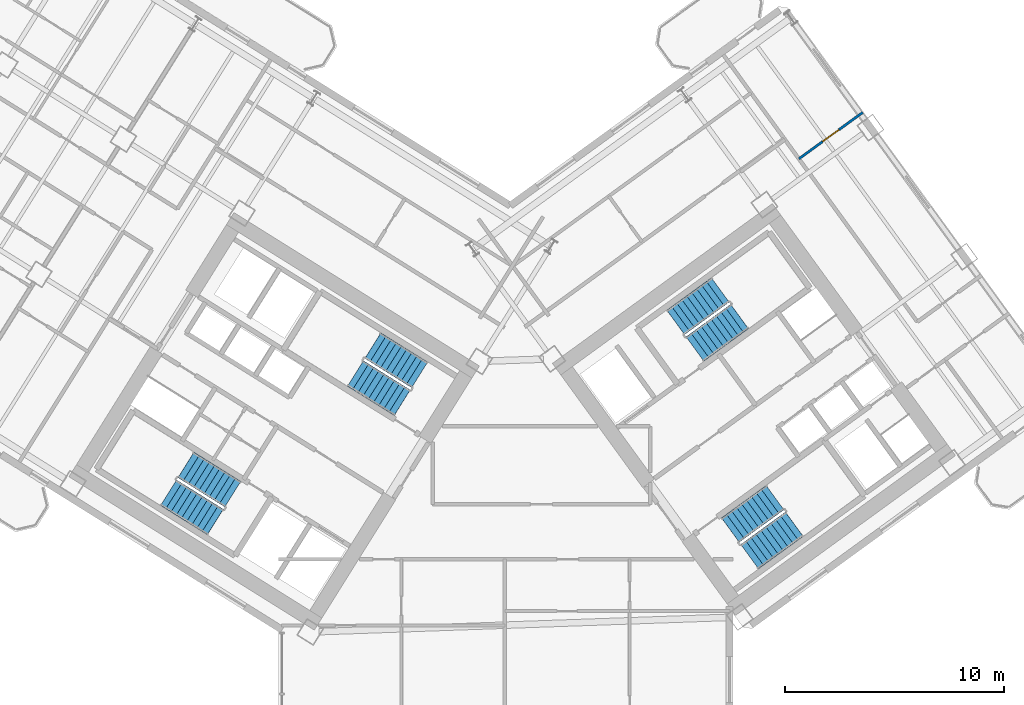
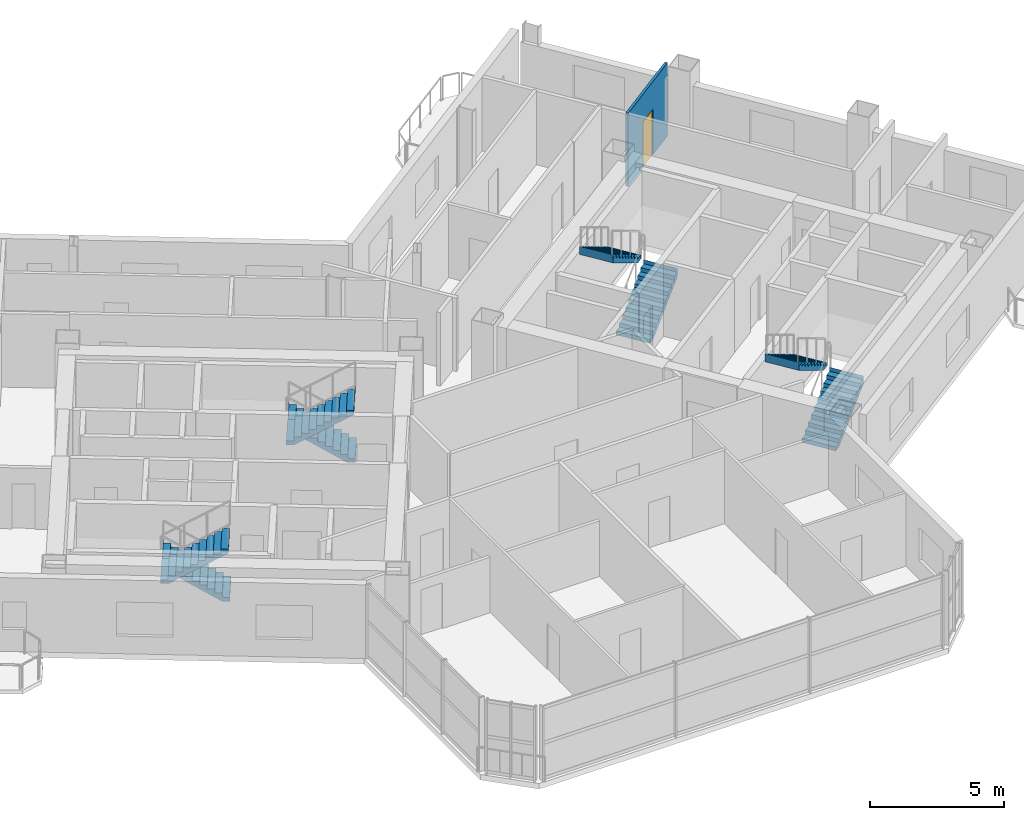
# One storey, part 17 of 21: 8 stair flights, 1 door, 1 wall, 1 opening, 4 elements without a shape of their own.
"""IFC4 building model written with IfcOpenShell, lengths in metres."""

from ifc_helpers import new_model, si_unit, direction, frame, frame_2d, origin, place, context, subcontext, project, spatial, polyline, rectangle, outline, extrude, source, transform, mapped, material, layer, layer_set, type_object, element, fill, aggregate, save


model = new_model("IFC4")

# Units and contexts
model_context = context("Model", 3, precision=1e-05, world=origin(), true_north=direction((0.0, 1.0)))
body_context = subcontext(model_context, "Body", "Model", "MODEL_VIEW")
ifc_project = project(units=[si_unit("LENGTHUNIT", "METRE"), si_unit("AREAUNIT", "SQUARE_METRE"), si_unit("VOLUMEUNIT", "CUBIC_METRE"), si_unit("PLANEANGLEUNIT", "RADIAN"), si_unit("MASSUNIT", "GRAM", prefix="KILO")], contexts=[model_context])

# Site, building, storey
site_placement = place(None, origin())
site = spatial("IfcSite", under=ifc_project, at=site_placement, CompositionType="ELEMENT")
building_placement = place(site_placement, origin())
building = spatial("IfcBuilding", under=site, at=building_placement, Name="Tlacorven Tower", CompositionType="ELEMENT")
storey_placement = place(building_placement, frame((0.0, 0.0, 93.60009765625)))
storey = spatial("IfcBuildingStorey", under=building, at=storey_placement, Name="L23", CompositionType="ELEMENT", Elevation=93.60009765625)

# Wall, opening, door
ifc_material_1 = material(Name="Gypsum plasterboard partition", Category="gypsum")
ifc_layer = layer(ifc_material_1, 0.110107421875)
ifc_layer_set = layer_set([ifc_layer], Name="Gypsum plasterboard partition")
wall_type = type_object("IfcWallType", Name="WL-INT-110", PredefinedType="PARTITIONING", material=ifc_layer_set)
wall_placement = place(storey_placement, frame((55.40869140625, 33.73828125, 0.0), z_axis=(0.0, 0.0, 1.0), x_axis=(0.809005039917, 0.58780170584, 0.0)))
wall = element("IfcWall", 1, at=wall_placement, inside=storey, type_object=wall_type, Name="L23 partition 107", PredefinedType="PARTITIONING", context=body_context, shape_type="SweptSolid", body=[
    extrude(rectangle(XDim=3.610107421875, YDim=0.110107421875, at=frame_2d((1.80517578125, 0.0))), origin(), (0.0, 0.0, 1.0), 3.33984375),
])
opening_placement = place(wall_placement, frame((1.344970703125, 0.0, 0.0)))
opening = element("IfcOpeningElement", 2, at=opening_placement, cuts=wall, Name="Opening D12", PredefinedType="OPENING", context=body_context, shape_type="SweptSolid", body=[
    extrude(rectangle(XDim=0.919921875, YDim=2.080078125, at=frame_2d((0.4599609375, 1.0400390625))), frame((0.0, 0.06494140625, 0.0), z_axis=(0.0, -1.0, 0.0), x_axis=(1.0, 0.0, 0.0)), (0.0, 0.0, 1.0), 0.130126953125),
])
ifc_material_2 = material(Name="Powder-coated aluminium and timber door", Category="wood")
door_type = type_object("IfcDoorType", Name="DR-INT-ROOM-0920", OperationType="NOTDEFINED", PredefinedType="DOOR", material=ifc_material_2)
shared_shape_1 = source(origin(), body_context, "Body", "SweptSolid", [
    extrude(rectangle(XDim=0.919921875, YDim=2.080078125, at=frame_2d((0.4599609375, 1.0400390625))), frame((0.0, 0.02490234375, 0.0), z_axis=(0.0, -1.0, 0.0), x_axis=(1.0, 0.0, 0.0)), (0.0, 0.0, 1.0), 0.050048828125),
])
door_placement = place(opening_placement, origin())
door = element("IfcDoor", 3, at=door_placement, inside=storey, type_object=door_type, Name="L23 door 067", OperationType="SINGLE_SWING_RIGHT", OverallHeight=2.080078125, OverallWidth=0.919921875, PredefinedType="DOOR", context=body_context, shape_type="MappedRepresentation", body=[
    mapped(shared_shape_1, transform((0.0, 0.0, 0.0), scale=1.0)),
])
fill(opening, door)

# Stair, stair flights
ifc_material_3 = material(Name="Concrete C40/50", Category="concrete")
stair_type = type_object("IfcStairType", Name="ST-CORE-DLG", PredefinedType="HALF_TURN_STAIR", material=ifc_material_3)
stair_1_placement = place(storey_placement, origin())
stair_1 = element("IfcStair", 4, at=stair_1_placement, inside=storey, type_object=stair_type, Name="L23 Protected Exit Stair West 1", PredefinedType="HALF_TURN_STAIR")
stair_flight_type = type_object("IfcStairFlightType", Name="SFL-RC-1380", PredefinedType="STRAIGHT", material=ifc_material_3)
shared_shape_2 = source(origin(), body_context, "Body", "SweptSolid", [
    extrude(outline(polyline([(-0.0029296875, -0.0029296875), (-0.0029296875, 0.179931640625), (0.280029296875, 0.179931640625), (0.280029296875, 0.360107421875), (0.56005859375, 0.360107421875), (0.56005859375, 0.5400390625), (0.840087890625, 0.5400390625), (0.840087890625, 0.719970703125), (1.1201171875, 0.719970703125), (1.1201171875, 0.89990234375), (1.39990234375, 0.89990234375), (1.39990234375, 1.080078125), (1.679931640625, 1.080078125), (1.679931640625, 1.260009765625), (1.9599609375, 1.260009765625), (1.9599609375, 1.43994140625), (2.239990234375, 1.43994140625), (2.239990234375, 1.6201171875), (2.52001953125, 1.6201171875), (2.52001953125, 1.800048828125), (2.52294921875, 1.800048828125), (2.52294921875, 1.429931640625), (2.52001953125, 1.429931640625), (0.295654296875, 0.0), (0.295654296875, -0.0029296875), (-0.0029296875, -0.0029296875)])), frame((0.0, 0.68994140625, 0.0), z_axis=(0.0, -1.0, 0.0), x_axis=(1.0, 0.0, 0.0)), (0.0, 0.0, 1.0), 1.3798828125),
])
stair_flight_1_placement = place(storey_placement, frame((29.499755859375, 18.39453125, 0.0), z_axis=(0.0, 0.0, 1.0), x_axis=(-0.848048096156, 0.529919264233, 0.0)))
stair_flight_1 = element("IfcStairFlight", 5, at=stair_flight_1_placement, type_object=stair_flight_type, Name="ST-W1 flight 1", NumberOfRisers=10, NumberOfTreads=9, PredefinedType="STRAIGHT", RiserHeight=0.18, TreadLength=0.28, context=body_context, shape_type="MappedRepresentation", body=[
    mapped(shared_shape_2, transform((0.0, 0.0, 0.0), scale=1.0)),
])
stair_flight_2_placement = place(storey_placement, frame((26.56787109375, 18.4580078125, 1.7998046875), z_axis=(0.0, 0.0, 1.0), x_axis=(0.848048096156, -0.529919264233, 0.0)))
stair_flight_2 = element("IfcStairFlight", 6, at=stair_flight_2_placement, type_object=stair_flight_type, Name="ST-W1 flight 2", NumberOfRisers=10, NumberOfTreads=9, PredefinedType="STRAIGHT", RiserHeight=0.18, TreadLength=0.28, context=body_context, shape_type="MappedRepresentation", body=[
    mapped(shared_shape_2, transform((0.0, 0.0, 0.0), scale=1.0)),
])
aggregate(stair_1, [stair_flight_1, stair_flight_2])

stair_2_placement = place(storey_placement, origin())
stair_2 = element("IfcStair", 7, at=stair_2_placement, inside=storey, type_object=stair_type, Name="L23 Protected Exit Stair West 2", PredefinedType="HALF_TURN_STAIR")
stair_flight_3_placement = place(storey_placement, frame((38.051513671875, 23.852294921875, 0.0), z_axis=(0.0, 0.0, 1.0), x_axis=(-0.848048096156, 0.529919264233, 0.0)))
stair_flight_3 = element("IfcStairFlight", 8, at=stair_flight_3_placement, type_object=stair_flight_type, Name="ST-W2 flight 1", NumberOfRisers=10, NumberOfTreads=9, PredefinedType="STRAIGHT", RiserHeight=0.18, TreadLength=0.28, context=body_context, shape_type="MappedRepresentation", body=[
    mapped(shared_shape_2, transform((0.0, 0.0, 0.0), scale=1.0)),
])
stair_flight_4_placement = place(storey_placement, frame((35.119384765625, 23.91552734375, 1.7998046875), z_axis=(0.0, 0.0, 1.0), x_axis=(0.848048096156, -0.529919264233, 0.0)))
stair_flight_4 = element("IfcStairFlight", 9, at=stair_flight_4_placement, type_object=stair_flight_type, Name="ST-W2 flight 2", NumberOfRisers=10, NumberOfTreads=9, PredefinedType="STRAIGHT", RiserHeight=0.18, TreadLength=0.28, context=body_context, shape_type="MappedRepresentation", body=[
    mapped(shared_shape_2, transform((0.0, 0.0, 0.0), scale=1.0)),
])
aggregate(stair_2, [stair_flight_3, stair_flight_4])

stair_3_placement = place(storey_placement, origin())
stair_3 = element("IfcStair", 10, at=stair_3_placement, inside=storey, type_object=stair_type, Name="L23 Protected Exit Stair East 1", PredefinedType="HALF_TURN_STAIR")
stair_flight_5_placement = place(storey_placement, frame((50.6533203125, 25.0400390625, 0.0), z_axis=(0.0, 0.0, 1.0), x_axis=(0.809016994375, 0.587785252292, 0.0)))
stair_flight_5 = element("IfcStairFlight", 11, at=stair_flight_5_placement, type_object=stair_flight_type, Name="ST-E1 flight 1", NumberOfRisers=10, NumberOfTreads=9, PredefinedType="STRAIGHT", RiserHeight=0.18, TreadLength=0.28, context=body_context, shape_type="MappedRepresentation", body=[
    mapped(shared_shape_2, transform((0.0, 0.0, 0.0), scale=1.0)),
])
stair_flight_6_placement = place(storey_placement, frame((51.810546875, 27.734619140625, 1.7998046875), z_axis=(0.0, 0.0, 1.0), x_axis=(-0.809016994375, -0.587785252292, 0.0)))
stair_flight_6 = element("IfcStairFlight", 12, at=stair_flight_6_placement, type_object=stair_flight_type, Name="ST-E1 flight 2", NumberOfRisers=10, NumberOfTreads=9, PredefinedType="STRAIGHT", RiserHeight=0.18, TreadLength=0.28, context=body_context, shape_type="MappedRepresentation", body=[
    mapped(shared_shape_2, transform((0.0, 0.0, 0.0), scale=1.0)),
])
aggregate(stair_3, [stair_flight_5, stair_flight_6])

stair_4_placement = place(storey_placement, origin())
stair_4 = element("IfcStair", 13, at=stair_4_placement, inside=storey, type_object=stair_type, Name="L23 Protected Exit Stair East 2", PredefinedType="HALF_TURN_STAIR")
stair_flight_7_placement = place(storey_placement, frame((53.157470703125, 15.536865234375, 0.0), z_axis=(0.0, 0.0, 1.0), x_axis=(0.809016994375, 0.587785252292, 0.0)))
stair_flight_7 = element("IfcStairFlight", 14, at=stair_flight_7_placement, type_object=stair_flight_type, Name="ST-E2 flight 1", NumberOfRisers=10, NumberOfTreads=9, PredefinedType="STRAIGHT", RiserHeight=0.18, TreadLength=0.28, context=body_context, shape_type="MappedRepresentation", body=[
    mapped(shared_shape_2, transform((0.0, 0.0, 0.0), scale=1.0)),
])
stair_flight_8_placement = place(storey_placement, frame((54.314453125, 18.231689453125, 1.7998046875), z_axis=(0.0, 0.0, 1.0), x_axis=(-0.809016994375, -0.587785252292, 0.0)))
stair_flight_8 = element("IfcStairFlight", 15, at=stair_flight_8_placement, type_object=stair_flight_type, Name="ST-E2 flight 2", NumberOfRisers=10, NumberOfTreads=9, PredefinedType="STRAIGHT", RiserHeight=0.18, TreadLength=0.28, context=body_context, shape_type="MappedRepresentation", body=[
    mapped(shared_shape_2, transform((0.0, 0.0, 0.0), scale=1.0)),
])
aggregate(stair_4, [stair_flight_7, stair_flight_8])

save(model, "model.ifc")
